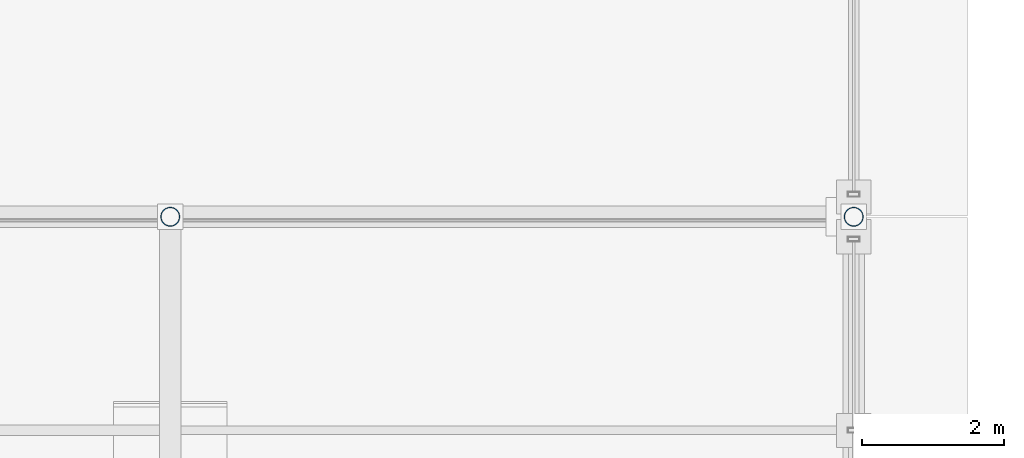
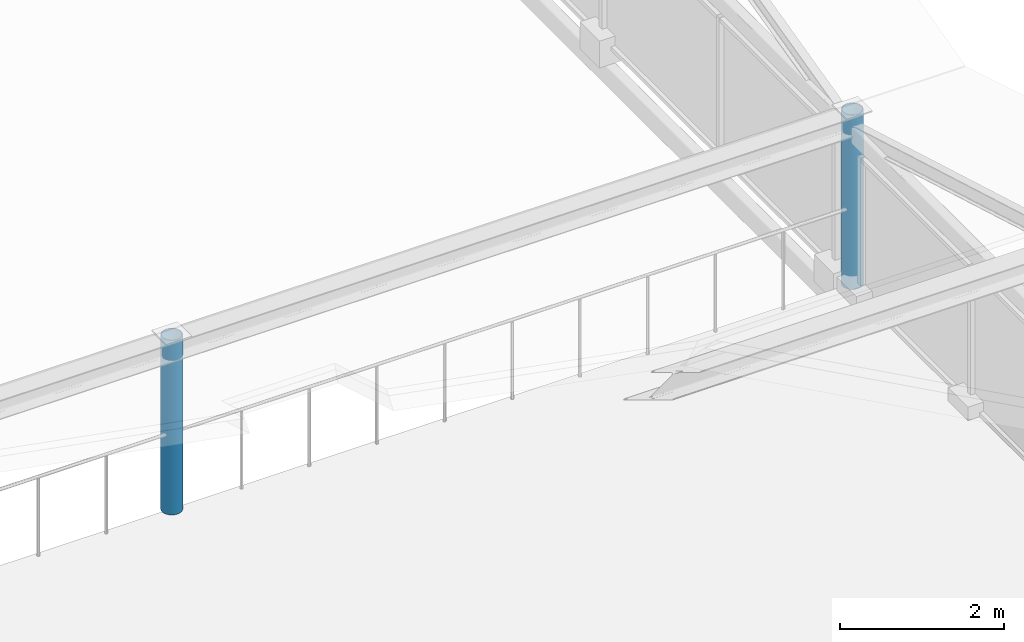
# One storey, part 7 of 117: 2 columns.
"""IFC4 building model written with IfcOpenShell, lengths in metres."""

import ifcopenshell
import ifcopenshell.guid

model = None  # the IFC model being written
_history = None  # IfcOwnerHistory: only IFC2X3 demands one
_inside = {}  # id of a spatial element -> (the spatial element, [elements in it])
_under = {}  # id of a project, library or spatial element -> (it, [spatial elements below it])
_declared = {}  # id of a project -> (the project, [libraries it declares])
_typed = {}  # id of a type object -> (the type object, [elements of that type])
_made_of = {}  # id of a material, layer set ... -> (it, [elements and type objects made of it])


def new_model(schema):
    """Start an empty IFC model of exactly this schema.

    Asked for "IFC4X3", IfcOpenShell would pick the latest addendum, in which some entities
    have other attributes; the version numbers below select the first issue.
    IFC2X3 requires an IfcOwnerHistory on every rooted entity: one is made here for all.
    """
    global model, _history
    if schema == "IFC4X3":
        model = ifcopenshell.file(schema_version=(4, 3, 0, 0))
    else:
        model = ifcopenshell.file(schema=schema)
    _inside.clear()
    _under.clear()
    _declared.clear()
    _typed.clear()
    _made_of.clear()
    _history = None
    if model.schema == "IFC2X3":
        org = make("IfcOrganization", Name="unknown")
        user = make(
            "IfcPersonAndOrganization",
            ThePerson=make("IfcPerson", FamilyName="unknown"),
            TheOrganization=org,
        )
        app = make(
            "IfcApplication",
            ApplicationDeveloper=org,
            Version="unknown",
            ApplicationFullName="unknown",
            ApplicationIdentifier="unknown",
        )
        _history = make(
            "IfcOwnerHistory",
            OwningUser=user,
            OwningApplication=app,
            ChangeAction="ADDED",
            CreationDate=0,
        )
    return model


def make(cls, **values):
    """One entity of the class cls with the attributes given. An attribute that is None is left unset."""
    return model.create_entity(
        cls, **{name: value for name, value in values.items() if value is not None}
    )


def rooted(cls, **values):
    """An entity with a GlobalId (a new one), such as an element, a storey or a relation."""
    return make(cls, GlobalId=ifcopenshell.guid.new(), OwnerHistory=_history, **values)


def si_unit(unit_type, name, prefix=None):
    """IfcSIUnit, for example si_unit("LENGTHUNIT", "METRE", prefix="MILLI")."""
    return make("IfcSIUnit", UnitType=unit_type, Prefix=prefix, Name=name)


def assignment(units):
    """IfcUnitAssignment: the units of a project."""
    return None if units is None else make("IfcUnitAssignment", Units=units)


def point(xyz):
    """IfcCartesianPoint."""
    return None if xyz is None else make("IfcCartesianPoint", Coordinates=xyz)


def direction(xyz):
    """IfcDirection."""
    return None if xyz is None else make("IfcDirection", DirectionRatios=xyz)


def frame(location, z_axis=None, x_axis=None):
    """IfcAxis2Placement3D, a coordinate frame: its origin and axes. An axis left out is left unset."""
    return make(
        "IfcAxis2Placement3D",
        Location=point(location),
        Axis=direction(z_axis),
        RefDirection=direction(x_axis),
    )


def frame_2d(location, x_axis=None):
    """IfcAxis2Placement2D, a coordinate frame in the plane: its origin and x axis."""
    return make(
        "IfcAxis2Placement2D", Location=point(location), RefDirection=direction(x_axis)
    )


def origin():
    """The frame at (0, 0, 0) with its axes left unset."""
    return frame((0.0, 0.0, 0.0))


def origin_2d():
    """The frame at (0, 0) in the plane with its x axis left unset."""
    return frame_2d((0.0, 0.0))


def place(relative_to, where):
    """IfcLocalPlacement: puts the frame where relative to a parent placement (None: the world)."""
    return make(
        "IfcLocalPlacement", PlacementRelTo=relative_to, RelativePlacement=where
    )


def context(
    kind, dimensions, precision=None, world=None, true_north=None, identifier=None
):
    """IfcGeometricRepresentationContext, for example the 3D "Model" context."""
    return make(
        "IfcGeometricRepresentationContext",
        ContextIdentifier=identifier,
        ContextType=kind,
        CoordinateSpaceDimension=dimensions,
        Precision=precision,
        WorldCoordinateSystem=world,
        TrueNorth=true_north,
    )


def subcontext(parent, identifier, kind, view, scale=None):
    """IfcGeometricRepresentationSubContext, for example "Body" below "Model"."""
    return make(
        "IfcGeometricRepresentationSubContext",
        ContextIdentifier=identifier,
        ContextType=kind,
        ParentContext=parent,
        TargetScale=scale,
        TargetView=view,
    )


def project(units=None, contexts=None):
    """IfcProject with its units and contexts."""
    return rooted(
        "IfcProject",
        Name="project",
        RepresentationContexts=contexts,
        UnitsInContext=assignment(units),
    )


def spatial(cls, under=None, at=None, **own):
    """A site, building, storey or space (cls), placed at a placement, below another one or the project."""
    s = rooted(cls, ObjectPlacement=at, **own)
    if under is not None:
        _under.setdefault(under.id(), (under, []))[1].append(s)
    return s


def profile(cls, at=None, kind="AREA", **sizes):
    """A parametric profile (cls). Its sizes go by their IFC names, for example OverallWidth=200.0."""
    return make(cls, ProfileType=kind, Position=at, **sizes)


def hollow_circle(**sizes):
    """IfcCircleHollowProfileDef."""
    return profile("IfcCircleHollowProfileDef", **sizes)


def extrude(swept, where, along, depth):
    """IfcExtrudedAreaSolid: the profile swept, set in the frame where, extruded along a direction by depth."""
    return make(
        "IfcExtrudedAreaSolid",
        SweptArea=swept,
        Position=where,
        ExtrudedDirection=direction(along),
        Depth=depth,
    )


def shape(context_of_items, identifier, shape_type, items):
    """IfcShapeRepresentation: the items that make up one representation, for example the "Body"."""
    return make(
        "IfcShapeRepresentation",
        ContextOfItems=context_of_items,
        RepresentationIdentifier=identifier,
        RepresentationType=shape_type,
        Items=items,
    )


def material(Name=None, Category=None):
    """IfcMaterial."""
    return make("IfcMaterial", Name=Name, Category=Category)


def material_profile(
    of_material, cross_section, Name=None, Category=None, Priority=None
):
    """IfcMaterialProfile: a cross section and its material."""
    return make(
        "IfcMaterialProfile",
        Name=Name,
        Material=of_material,
        Profile=cross_section,
        Priority=Priority,
        Category=Category,
    )


def profile_set(profiles, Name=None, composite=None):
    """IfcMaterialProfileSet."""
    return make(
        "IfcMaterialProfileSet",
        Name=Name,
        MaterialProfiles=profiles,
        CompositeProfile=composite,
    )


def made_of(thing, what):
    """Note that an element or type object is made of a material, layer set ...; save() writes the relation."""
    if what is not None:
        _made_of.setdefault(what.id(), (what, []))[1].append(thing)
    return thing


def type_object(cls, material=None, **own):
    """A type object (cls), such as IfcWallType, which elements share."""
    return made_of(rooted(cls, **own), material)


def element(
    cls,
    number,
    at=None,
    inside=None,
    cuts=None,
    type_object=None,
    material=None,
    context=None,
    identifier="Body",
    shape_type=None,
    held_by="IfcProductDefinitionShape",
    body=None,
    shapes=None,
    **own,
):
    """One element of the class cls, such as IfcWall. Its Tag is "e" and its number.

    at: its placement. inside: the storey or other place that contains it. cuts: it is an
    opening in that element (IfcRelVoidsElement). A single representation is given by context,
    identifier, shape_type and body (its items); several are given by shapes. held_by: the class
    of the entity that holds the representations. save() writes the other relations.
    """
    e = rooted(cls, Tag="e%d" % number, ObjectPlacement=at, **own)
    if body is not None:
        shapes = [shape(context, identifier, shape_type, body)]
    if shapes is not None:
        e.Representation = make(held_by, Representations=shapes)
    if inside is not None:
        _inside.setdefault(inside.id(), (inside, []))[1].append(e)
    if cuts is not None:
        rooted(
            "IfcRelVoidsElement", RelatingBuildingElement=cuts, RelatedOpeningElement=e
        )
    if type_object is not None:
        _typed.setdefault(type_object.id(), (type_object, []))[1].append(e)
    return made_of(e, material)


def aggregate(whole, parts):
    """IfcRelAggregates: a whole, such as a stair, and the parts it consists of."""
    return rooted("IfcRelAggregates", RelatingObject=whole, RelatedObjects=parts)


def save(model, path):
    """Write the relations noted so far, then the file.

    IfcRelAggregates (storeys below a building ...), IfcRelContainedInSpatialStructure (elements
    in a storey), IfcRelDefinesByType, IfcRelAssociatesMaterial and IfcRelDeclares: one each for
    every whole, place, type object, material and project.
    """
    for whole, parts in _under.values():
        aggregate(whole, parts)
    for where, things in _inside.values():
        rooted(
            "IfcRelContainedInSpatialStructure",
            RelatedElements=things,
            RelatingStructure=where,
        )
    for kind, things in _typed.values():
        rooted("IfcRelDefinesByType", RelatedObjects=things, RelatingType=kind)
    for what, things in _made_of.values():
        rooted("IfcRelAssociatesMaterial", RelatedObjects=things, RelatingMaterial=what)
    for by, libraries in _declared.values():
        rooted("IfcRelDeclares", RelatingContext=by, RelatedDefinitions=libraries)
    model.write(path)


model = new_model("IFC4")

# Units and contexts
model_context = context("Model", 3, precision=1e-05, world=origin(), true_north=direction((0.0, 1.0)))
body_context = subcontext(model_context, "Body", "Model", "MODEL_VIEW")
ifc_project = project(units=[si_unit("LENGTHUNIT", "METRE"), si_unit("AREAUNIT", "SQUARE_METRE"), si_unit("VOLUMEUNIT", "CUBIC_METRE"), si_unit("PLANEANGLEUNIT", "RADIAN"), si_unit("MASSUNIT", "GRAM", prefix="KILO")], contexts=[model_context])

# Site, building, storey
site_placement = place(None, origin())
site = spatial("IfcSite", under=ifc_project, at=site_placement, CompositionType="ELEMENT")
building_placement = place(site_placement, origin())
building = spatial("IfcBuilding", under=site, at=building_placement, Name="Merenkruunu Market Hall", CompositionType="ELEMENT")
storey_placement = place(building_placement, frame((0.0, 0.0, 10.199951171875)))
storey = spatial("IfcBuildingStorey", under=building, at=storey_placement, Name="L02", CompositionType="ELEMENT", Elevation=10.199951171875)

# Columns
ifc_material = material(Name="Steel S355ML", Category="steel")
ifc_material_profile = material_profile(ifc_material, hollow_circle(Radius=0.136474609375, WallThickness=0.012451171875, at=origin_2d()), Name="CHS 273x12.5")
ifc_profile_set = profile_set([ifc_material_profile], Name="Steel S355ML")
column_type = type_object("IfcColumnType", Name="Structural Column C14", PredefinedType="COLUMN", material=ifc_profile_set)
for number, where, z_axis, x_axis, name in (
    (1, (67.199951171875, 51.60009765625, 0.0), (0.0, 0.0, 1.0), (1.0, 0.0, 0.0), "COL-L02-H-07"),
    (2, (76.800048828125, 51.60009765625, 0.0), (0.0, 0.0, 1.0), (1.0, 0.0, 0.0), "COL-L02-J-07"),
):
    element("IfcColumn", number, at=place(storey_placement, frame(where, z_axis=z_axis, x_axis=x_axis)), inside=storey, type_object=column_type, Name=name, PredefinedType="COLUMN", context=body_context, shape_type="SweptSolid", body=[
        extrude(hollow_circle(Radius=0.136474609375, WallThickness=0.012451171875, at=origin_2d()), origin(), (0.0, 0.0, 1.0), 2.60009765625),
    ])

save(model, "model.ifc")
